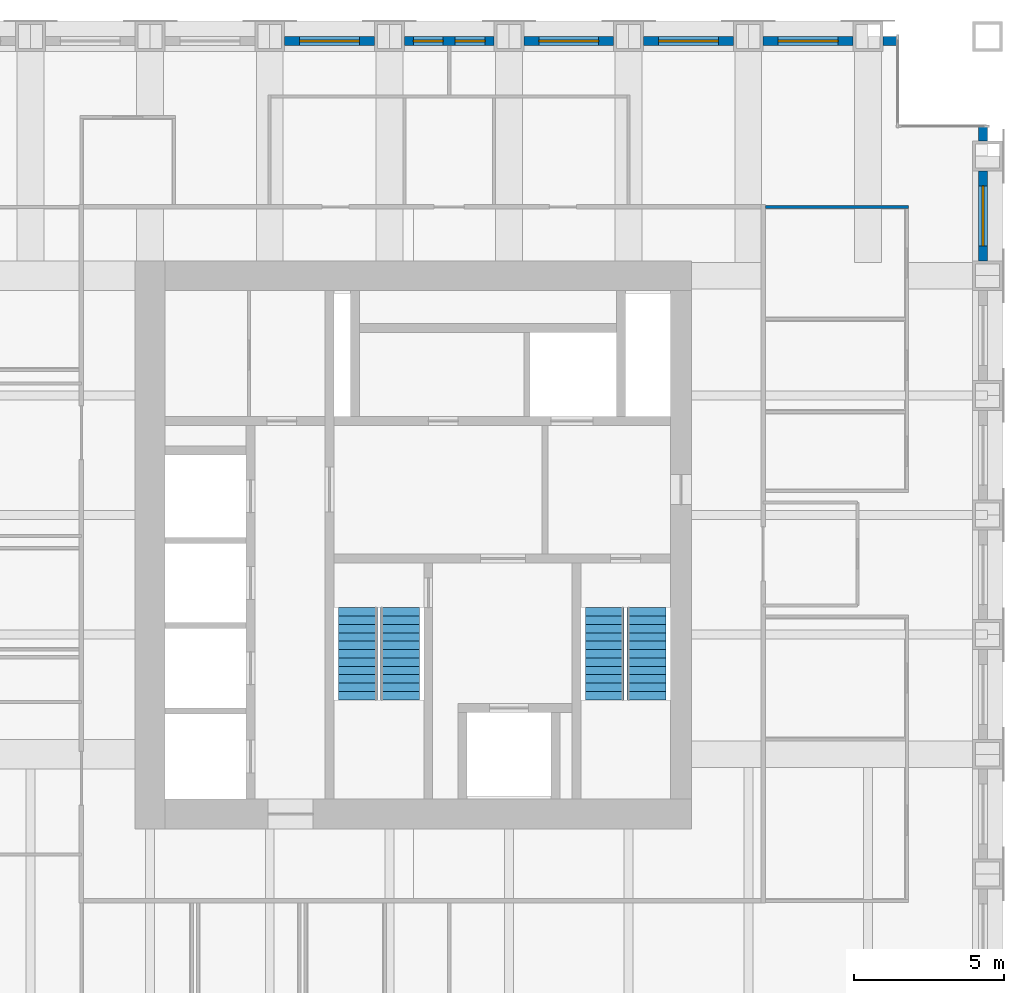
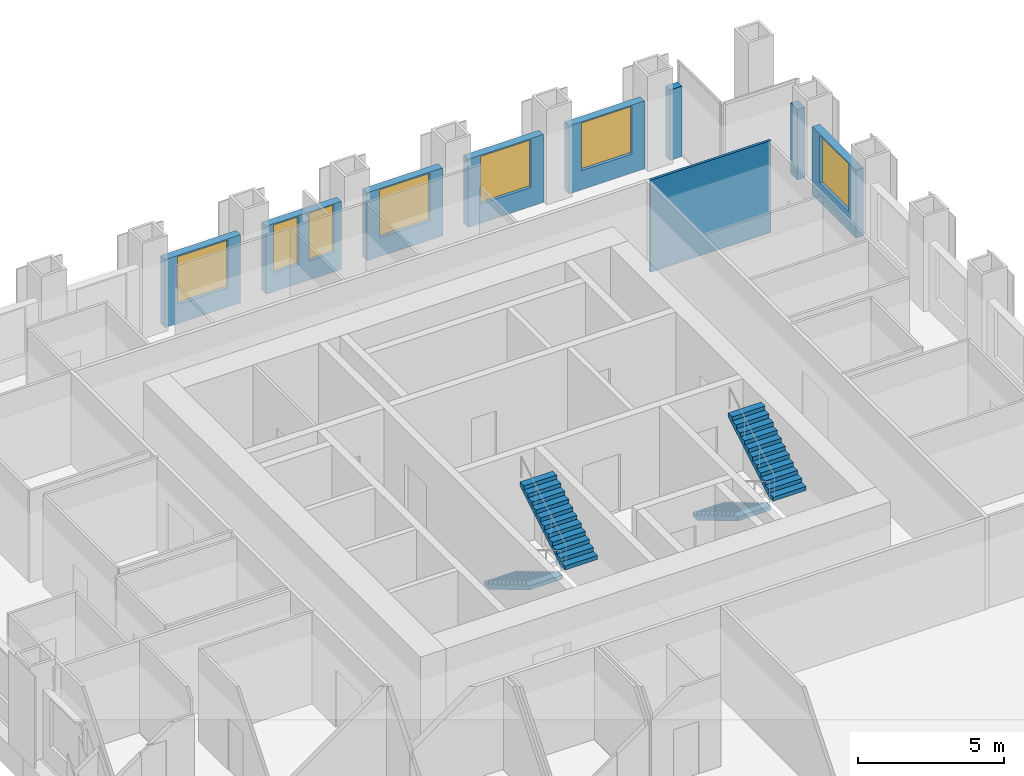
# One storey, part 11 of 13: 9 walls, 7 windows, 4 stair flights, 7 openings, 2 elements without a shape of their own.
"""IFC4 building model written with IfcOpenShell, lengths in metres."""

from ifc_helpers import new_model, si_unit, direction, frame, frame_2d, origin, place, context, subcontext, project, spatial, polyline, rectangle, outline, extrude, material, layer, layer_set, type_object, element, fill, aggregate, save


model = new_model("IFC4")

# Units and contexts
model_context = context("Model", 3, precision=1e-05, world=origin(), true_north=direction((0.0, 1.0)))
body_context = subcontext(model_context, "Body", "Model", "MODEL_VIEW")
ifc_project = project(units=[si_unit("LENGTHUNIT", "METRE"), si_unit("AREAUNIT", "SQUARE_METRE"), si_unit("VOLUMEUNIT", "CUBIC_METRE"), si_unit("PLANEANGLEUNIT", "RADIAN"), si_unit("MASSUNIT", "GRAM", prefix="KILO")], contexts=[model_context])

# Site, building, storey
site_placement = place(None, origin())
site = spatial("IfcSite", under=ifc_project, at=site_placement, CompositionType="ELEMENT")
building_placement = place(site_placement, origin())
building = spatial("IfcBuilding", under=site, at=building_placement, Name="Rimbunsela Tower", CompositionType="ELEMENT")
storey_placement = place(building_placement, frame((0.0, 0.0, 294.199951171875)))
storey = spatial("IfcBuildingStorey", under=building, at=storey_placement, Name="L71", CompositionType="ELEMENT", Elevation=294.199951171875)

# Wall
ifc_material_1 = material(Name="Gypsum board on steel studs", Category="steel")
ifc_layer_1 = layer(ifc_material_1, 0.10009765625)
ifc_layer_set_1 = layer_set([ifc_layer_1], Name="Office partition 100")
wall_type_1 = type_object("IfcWallType", Name="Office partition 100", PredefinedType="PARTITIONING", material=ifc_layer_set_1)
wall_1_placement = place(storey_placement, frame((38.574951171875, 38.300048828125, 0.0), z_axis=(0.0, 0.0, 1.0), x_axis=(1.0, 0.0, 0.0)))
element("IfcWall", 1, at=wall_1_placement, inside=storey, type_object=wall_type_1, Name="Office partition", PredefinedType="PARTITIONING", context=body_context, shape_type="SweptSolid", body=[
    extrude(rectangle(XDim=4.775146484375, YDim=0.10009765625, at=frame_2d((2.3876953125, 0.0))), origin(), (0.0, 0.0, 1.0), 3.85009765625),
])

# Wall, opening, window
ifc_material_2 = material(Name="Precast concrete fc' 35 MPa", Category="concrete")
ifc_layer_2 = layer(ifc_material_2, 0.300048828125)
ifc_layer_set_2 = layer_set([ifc_layer_2], Name="Precast concrete fc' 35 MPa")
wall_type_2 = type_object("IfcWallType", Name="Precast facade panel 300", PredefinedType="ELEMENTEDWALL", material=ifc_layer_set_2)
wall_2_placement = place(storey_placement, frame((45.85009765625, 36.5, 0.0), z_axis=(0.0, 0.0, 1.0), x_axis=(0.0, 1.0, 0.0)))
wall_2 = element("IfcWall", 2, at=wall_2_placement, inside=storey, type_object=wall_type_2, Name="Facade panel E L71", PredefinedType="ELEMENTEDWALL", context=body_context, shape_type="SweptSolid", body=[
    extrude(rectangle(XDim=3.0, YDim=0.300048828125, at=frame_2d((1.5, 0.0))), origin(), (0.0, 0.0, 1.0), 2.85009765625),
])
opening_1_placement = place(wall_2_placement, frame((0.5, 0.0, 0.800048828125)))
opening_1 = element("IfcOpeningElement", 3, at=opening_1_placement, cuts=wall_2, Name="Opening W1", PredefinedType="OPENING", context=body_context, shape_type="SweptSolid", body=[
    extrude(rectangle(XDim=2.0, YDim=2.0, at=frame_2d((1.0, 1.0))), frame((0.0, 0.159912109375, 0.0), z_axis=(0.0, -1.0, 0.0), x_axis=(1.0, 0.0, 0.0)), (0.0, 0.0, 1.0), 0.320068359375),
])
ifc_material_3 = material(Name="Clear glass in aluminium frame", Category="aluminium")
window_type_1 = type_object("IfcWindowType", Name="Window W1 2000x2000", PartitioningType="DOUBLE_PANEL_VERTICAL", PredefinedType="WINDOW", material=ifc_material_3)
window_1_placement = place(opening_1_placement, origin())
window_1 = element("IfcWindow", 4, at=window_1_placement, inside=storey, type_object=window_type_1, Name="Window L71", OverallHeight=2.0, OverallWidth=2.0, PartitioningType="SINGLE_PANEL", PredefinedType="WINDOW", context=body_context, shape_type="SweptSolid", body=[
    extrude(rectangle(XDim=2.0, YDim=2.0, at=frame_2d((1.0, 1.0))), frame((0.0, 0.030029296875, 0.0), z_axis=(0.0, -1.0, 0.0), x_axis=(1.0, 0.0, 0.0)), (0.0, 0.0, 1.0), 0.06005859375),
])
fill(opening_1, window_1)

# Wall
wall_3_placement = place(storey_placement, frame((45.85009765625, 40.5, 0.0), z_axis=(0.0, 0.0, 1.0), x_axis=(0.0, 1.0, 0.0)))
element("IfcWall", 5, at=wall_3_placement, inside=storey, type_object=wall_type_2, Name="Facade panel E L71", PredefinedType="ELEMENTEDWALL", context=body_context, shape_type="SweptSolid", body=[
    extrude(rectangle(XDim=0.469970703125, YDim=0.300048828125, at=frame_2d((0.23486328125, 0.0))), origin(), (0.0, 0.0, 1.0), 2.949951171875),
])

# Wall, opening, window
wall_4_placement = place(storey_placement, frame((25.5, 43.85009765625, 0.0), z_axis=(0.0, 0.0, 1.0), x_axis=(-1.0, 0.0, 0.0)))
wall_4 = element("IfcWall", 6, at=wall_4_placement, inside=storey, type_object=wall_type_2, Name="Facade panel N L71", PredefinedType="ELEMENTEDWALL", context=body_context, shape_type="SweptSolid", body=[
    extrude(rectangle(XDim=3.0, YDim=0.300048828125, at=frame_2d((1.5, 0.0))), origin(), (0.0, 0.0, 1.0), 2.85009765625),
])
opening_2_placement = place(wall_4_placement, frame((0.5, 0.0, 0.800048828125)))
opening_2 = element("IfcOpeningElement", 7, at=opening_2_placement, cuts=wall_4, Name="Opening W1", PredefinedType="OPENING", context=body_context, shape_type="SweptSolid", body=[
    extrude(rectangle(XDim=2.0, YDim=2.0, at=frame_2d((1.0, 1.0))), frame((0.0, 0.159912109375, 0.0), z_axis=(0.0, -1.0, 0.0), x_axis=(1.0, 0.0, 0.0)), (0.0, 0.0, 1.0), 0.320068359375),
])
window_2_placement = place(opening_2_placement, origin())
window_2 = element("IfcWindow", 8, at=window_2_placement, inside=storey, type_object=window_type_1, Name="Window L71", OverallHeight=2.0, OverallWidth=2.0, PartitioningType="SINGLE_PANEL", PredefinedType="WINDOW", context=body_context, shape_type="SweptSolid", body=[
    extrude(rectangle(XDim=2.0, YDim=2.0, at=frame_2d((1.0, 1.0))), frame((0.0, 0.030029296875, 0.0), z_axis=(0.0, -1.0, 0.0), x_axis=(1.0, 0.0, 0.0)), (0.0, 0.0, 1.0), 0.06005859375),
])
fill(opening_2, window_2)

# Wall, openings, windows
wall_5_placement = place(storey_placement, frame((29.5, 43.85009765625, 0.0), z_axis=(0.0, 0.0, 1.0), x_axis=(-1.0, 0.0, 0.0)))
wall_5 = element("IfcWall", 9, at=wall_5_placement, inside=storey, type_object=wall_type_2, Name="Facade panel N L71", PredefinedType="ELEMENTEDWALL", context=body_context, shape_type="SweptSolid", body=[
    extrude(rectangle(XDim=3.0, YDim=0.300048828125, at=frame_2d((1.5, 0.0))), origin(), (0.0, 0.0, 1.0), 2.85009765625),
])
opening_3_placement = place(wall_5_placement, frame((1.699951171875, 0.0, 0.800048828125)))
opening_3 = element("IfcOpeningElement", 10, at=opening_3_placement, cuts=wall_5, Name="Opening W5", PredefinedType="OPENING", context=body_context, shape_type="SweptSolid", body=[
    extrude(rectangle(XDim=1.0, YDim=2.0, at=frame_2d((0.5, 1.0))), frame((0.0, 0.159912109375, 0.0), z_axis=(0.0, -1.0, 0.0), x_axis=(1.0, 0.0, 0.0)), (0.0, 0.0, 1.0), 0.320068359375),
])
opening_4_placement = place(wall_5_placement, frame((0.300048828125, 0.0, 0.800048828125)))
opening_4 = element("IfcOpeningElement", 11, at=opening_4_placement, cuts=wall_5, Name="Opening W5", PredefinedType="OPENING", context=body_context, shape_type="SweptSolid", body=[
    extrude(rectangle(XDim=1.0, YDim=2.0, at=frame_2d((0.5, 1.0))), frame((0.0, 0.159912109375, 0.0), z_axis=(0.0, -1.0, 0.0), x_axis=(1.0, 0.0, 0.0)), (0.0, 0.0, 1.0), 0.320068359375),
])
ifc_material_4 = material(Name="Clear glass in aluminium frame", Category="aluminium")
window_type_2 = type_object("IfcWindowType", Name="Window W5 1000x2000", PartitioningType="SINGLE_PANEL", PredefinedType="WINDOW", material=ifc_material_4)
window_3_placement = place(opening_3_placement, origin())
window_3 = element("IfcWindow", 12, at=window_3_placement, inside=storey, type_object=window_type_2, Name="Window L71", OverallHeight=2.0, OverallWidth=1.0, PartitioningType="SINGLE_PANEL", PredefinedType="WINDOW", context=body_context, shape_type="SweptSolid", body=[
    extrude(rectangle(XDim=1.0, YDim=2.0, at=frame_2d((0.5, 1.0))), frame((0.0, 0.030029296875, 0.0), z_axis=(0.0, -1.0, 0.0), x_axis=(1.0, 0.0, 0.0)), (0.0, 0.0, 1.0), 0.06005859375),
])
fill(opening_3, window_3)
window_4_placement = place(opening_4_placement, origin())
window_4 = element("IfcWindow", 13, at=window_4_placement, inside=storey, type_object=window_type_2, Name="Window L71", OverallHeight=2.0, OverallWidth=1.0, PartitioningType="SINGLE_PANEL", PredefinedType="WINDOW", context=body_context, shape_type="SweptSolid", body=[
    extrude(rectangle(XDim=1.0, YDim=2.0, at=frame_2d((0.5, 1.0))), frame((0.0, 0.030029296875, 0.0), z_axis=(0.0, -1.0, 0.0), x_axis=(1.0, 0.0, 0.0)), (0.0, 0.0, 1.0), 0.06005859375),
])
fill(opening_4, window_4)

# Wall, opening, window
wall_6_placement = place(storey_placement, frame((33.5, 43.85009765625, 0.0), z_axis=(0.0, 0.0, 1.0), x_axis=(-1.0, 0.0, 0.0)))
wall_6 = element("IfcWall", 14, at=wall_6_placement, inside=storey, type_object=wall_type_2, Name="Facade panel N L71", PredefinedType="ELEMENTEDWALL", context=body_context, shape_type="SweptSolid", body=[
    extrude(rectangle(XDim=3.0, YDim=0.300048828125, at=frame_2d((1.5, 0.0))), origin(), (0.0, 0.0, 1.0), 2.85009765625),
])
opening_5_placement = place(wall_6_placement, frame((0.5, 0.0, 0.800048828125)))
opening_5 = element("IfcOpeningElement", 15, at=opening_5_placement, cuts=wall_6, Name="Opening W1", PredefinedType="OPENING", context=body_context, shape_type="SweptSolid", body=[
    extrude(rectangle(XDim=2.0, YDim=2.0, at=frame_2d((1.0, 1.0))), frame((0.0, 0.159912109375, 0.0), z_axis=(0.0, -1.0, 0.0), x_axis=(1.0, 0.0, 0.0)), (0.0, 0.0, 1.0), 0.320068359375),
])
window_5_placement = place(opening_5_placement, origin())
window_5 = element("IfcWindow", 16, at=window_5_placement, inside=storey, type_object=window_type_1, Name="Window L71", OverallHeight=2.0, OverallWidth=2.0, PartitioningType="SINGLE_PANEL", PredefinedType="WINDOW", context=body_context, shape_type="SweptSolid", body=[
    extrude(rectangle(XDim=2.0, YDim=2.0, at=frame_2d((1.0, 1.0))), frame((0.0, 0.030029296875, 0.0), z_axis=(0.0, -1.0, 0.0), x_axis=(1.0, 0.0, 0.0)), (0.0, 0.0, 1.0), 0.06005859375),
])
fill(opening_5, window_5)

wall_7_placement = place(storey_placement, frame((37.5, 43.85009765625, 0.0), z_axis=(0.0, 0.0, 1.0), x_axis=(-1.0, 0.0, 0.0)))
wall_7 = element("IfcWall", 17, at=wall_7_placement, inside=storey, type_object=wall_type_2, Name="Facade panel N L71", PredefinedType="ELEMENTEDWALL", context=body_context, shape_type="SweptSolid", body=[
    extrude(rectangle(XDim=3.0, YDim=0.300048828125, at=frame_2d((1.5, 0.0))), origin(), (0.0, 0.0, 1.0), 2.85009765625),
])
opening_6_placement = place(wall_7_placement, frame((0.5, 0.0, 0.800048828125)))
opening_6 = element("IfcOpeningElement", 18, at=opening_6_placement, cuts=wall_7, Name="Opening W1", PredefinedType="OPENING", context=body_context, shape_type="SweptSolid", body=[
    extrude(rectangle(XDim=2.0, YDim=2.0, at=frame_2d((1.0, 1.0))), frame((0.0, 0.159912109375, 0.0), z_axis=(0.0, -1.0, 0.0), x_axis=(1.0, 0.0, 0.0)), (0.0, 0.0, 1.0), 0.320068359375),
])
window_6_placement = place(opening_6_placement, origin())
window_6 = element("IfcWindow", 19, at=window_6_placement, inside=storey, type_object=window_type_1, Name="Window L71", OverallHeight=2.0, OverallWidth=2.0, PartitioningType="SINGLE_PANEL", PredefinedType="WINDOW", context=body_context, shape_type="SweptSolid", body=[
    extrude(rectangle(XDim=2.0, YDim=2.0, at=frame_2d((1.0, 1.0))), frame((0.0, 0.030029296875, 0.0), z_axis=(0.0, -1.0, 0.0), x_axis=(1.0, 0.0, 0.0)), (0.0, 0.0, 1.0), 0.06005859375),
])
fill(opening_6, window_6)

wall_8_placement = place(storey_placement, frame((41.5, 43.85009765625, 0.0), z_axis=(0.0, 0.0, 1.0), x_axis=(-1.0, 0.0, 0.0)))
wall_8 = element("IfcWall", 20, at=wall_8_placement, inside=storey, type_object=wall_type_2, Name="Facade panel N L71", PredefinedType="ELEMENTEDWALL", context=body_context, shape_type="SweptSolid", body=[
    extrude(rectangle(XDim=3.0, YDim=0.300048828125, at=frame_2d((1.5, 0.0))), origin(), (0.0, 0.0, 1.0), 2.85009765625),
])
opening_7_placement = place(wall_8_placement, frame((0.5, 0.0, 0.800048828125)))
opening_7 = element("IfcOpeningElement", 21, at=opening_7_placement, cuts=wall_8, Name="Opening W1", PredefinedType="OPENING", context=body_context, shape_type="SweptSolid", body=[
    extrude(rectangle(XDim=2.0, YDim=2.0, at=frame_2d((1.0, 1.0))), frame((0.0, 0.159912109375, 0.0), z_axis=(0.0, -1.0, 0.0), x_axis=(1.0, 0.0, 0.0)), (0.0, 0.0, 1.0), 0.320068359375),
])
window_7_placement = place(opening_7_placement, origin())
window_7 = element("IfcWindow", 22, at=window_7_placement, inside=storey, type_object=window_type_1, Name="Window L71", OverallHeight=2.0, OverallWidth=2.0, PartitioningType="SINGLE_PANEL", PredefinedType="WINDOW", context=body_context, shape_type="SweptSolid", body=[
    extrude(rectangle(XDim=2.0, YDim=2.0, at=frame_2d((1.0, 1.0))), frame((0.0, 0.030029296875, 0.0), z_axis=(0.0, -1.0, 0.0), x_axis=(1.0, 0.0, 0.0)), (0.0, 0.0, 1.0), 0.06005859375),
])
fill(opening_7, window_7)

# Wall
wall_9_placement = place(storey_placement, frame((42.969970703125, 43.85009765625, 0.0), z_axis=(0.0, 0.0, 1.0), x_axis=(-1.0, 0.0, 0.0)))
element("IfcWall", 23, at=wall_9_placement, inside=storey, type_object=wall_type_2, Name="Facade panel N L71", PredefinedType="ELEMENTEDWALL", context=body_context, shape_type="SweptSolid", body=[
    extrude(rectangle(XDim=0.469970703125, YDim=0.300048828125, at=frame_2d((0.23486328125, 0.0))), origin(), (0.0, 0.0, 1.0), 2.949951171875),
])

# Stair, stair flights
ifc_material_5 = material(Name="Concrete fc' 35 MPa", Category="concrete")
stair_type = type_object("IfcStairType", Name="Exit stair 24 risers", PredefinedType="HALF_TURN_STAIR", material=ifc_material_5)
stair_1_placement = place(storey_placement, origin())
stair_1 = element("IfcStair", 24, at=stair_1_placement, inside=storey, type_object=stair_type, Name="Exit stair A L71", PredefinedType="HALF_TURN_STAIR")
ifc_material_6 = material(Name="Concrete fc' 35 MPa", Category="concrete")
stair_flight_type = type_object("IfcStairFlightType", Name="Stair flight 12 risers 167", PredefinedType="STRAIGHT", material=ifc_material_6)
stair_flight_1_placement = place(storey_placement, frame((24.949951171875, 24.89990234375, 0.0), z_axis=(0.0, 0.0, 1.0), x_axis=(0.0, -1.0, 0.0)))
stair_flight_1 = element("IfcStairFlight", 25, at=stair_flight_1_placement, type_object=stair_flight_type, Name="ST-A flight 1", NumberOfRisers=12, NumberOfTreads=11, PredefinedType="STRAIGHT", RiserHeight=0.166666667, TreadLength=0.28, context=body_context, shape_type="SweptSolid", body=[
    extrude(outline(polyline([(0.0, 0.0), (0.0, 0.166748046875), (0.280029296875, 0.166748046875), (0.280029296875, 0.333251953125), (0.56005859375, 0.333251953125), (0.56005859375, 0.5), (0.840087890625, 0.5), (0.840087890625, 0.666748046875), (1.1201171875, 0.666748046875), (1.1201171875, 0.833251953125), (1.39990234375, 0.833251953125), (1.39990234375, 1.0), (1.679931640625, 1.0), (1.679931640625, 1.166748046875), (1.9599609375, 1.166748046875), (1.9599609375, 1.333251953125), (2.239990234375, 1.333251953125), (2.239990234375, 1.5), (2.52001953125, 1.5), (2.52001953125, 1.666748046875), (2.800048828125, 1.666748046875), (2.800048828125, 1.833251953125), (3.080078125, 1.833251953125), (3.080078125, 2.0), (3.080078125, 1.658935546875), (0.29296875, 0.0), (0.0, 0.0)])), frame((0.0, 0.64990234375, 0.0), z_axis=(0.0, -1.0, 0.0), x_axis=(1.0, 0.0, 0.0)), (0.0, 0.0, 1.0), 1.300048828125),
])
stair_flight_2_placement = place(storey_placement, frame((26.35009765625, 21.820068359375, 2.0), z_axis=(0.0, 0.0, 1.0), x_axis=(0.0, 1.0, 0.0)))
stair_flight_2 = element("IfcStairFlight", 26, at=stair_flight_2_placement, type_object=stair_flight_type, Name="ST-A flight 2", NumberOfRisers=12, NumberOfTreads=11, PredefinedType="STRAIGHT", RiserHeight=0.166666667, TreadLength=0.28, context=body_context, shape_type="SweptSolid", body=[
    extrude(outline(polyline([(0.0, 0.0), (0.0, 0.166748046875), (0.280029296875, 0.166748046875), (0.280029296875, 0.333251953125), (0.56005859375, 0.333251953125), (0.56005859375, 0.5), (0.840087890625, 0.5), (0.840087890625, 0.666748046875), (1.1201171875, 0.666748046875), (1.1201171875, 0.833251953125), (1.39990234375, 0.833251953125), (1.39990234375, 1.0), (1.679931640625, 1.0), (1.679931640625, 1.166748046875), (1.9599609375, 1.166748046875), (1.9599609375, 1.333251953125), (2.239990234375, 1.333251953125), (2.239990234375, 1.5), (2.52001953125, 1.5), (2.52001953125, 1.666748046875), (2.800048828125, 1.666748046875), (2.800048828125, 1.833251953125), (3.080078125, 1.833251953125), (3.080078125, 2.0), (3.080078125, 1.658935546875), (0.29296875, 0.0), (0.0, 0.0)])), frame((0.0, 0.64990234375, 0.0), z_axis=(0.0, -1.0, 0.0), x_axis=(1.0, 0.0, 0.0)), (0.0, 0.0, 1.0), 1.300048828125),
])
aggregate(stair_1, [stair_flight_1, stair_flight_2])

stair_2_placement = place(storey_placement, origin())
stair_2 = element("IfcStair", 27, at=stair_2_placement, inside=storey, type_object=stair_type, Name="Exit stair B L71", PredefinedType="HALF_TURN_STAIR")
stair_flight_3_placement = place(storey_placement, frame((33.199951171875, 24.89990234375, 0.0), z_axis=(0.0, 0.0, 1.0), x_axis=(0.0, -1.0, 0.0)))
stair_flight_3 = element("IfcStairFlight", 28, at=stair_flight_3_placement, type_object=stair_flight_type, Name="ST-B flight 1", NumberOfRisers=12, NumberOfTreads=11, PredefinedType="STRAIGHT", RiserHeight=0.166666667, TreadLength=0.28, context=body_context, shape_type="SweptSolid", body=[
    extrude(outline(polyline([(0.0, 0.0), (0.0, 0.166748046875), (0.280029296875, 0.166748046875), (0.280029296875, 0.333251953125), (0.56005859375, 0.333251953125), (0.56005859375, 0.5), (0.840087890625, 0.5), (0.840087890625, 0.666748046875), (1.1201171875, 0.666748046875), (1.1201171875, 0.833251953125), (1.39990234375, 0.833251953125), (1.39990234375, 1.0), (1.679931640625, 1.0), (1.679931640625, 1.166748046875), (1.9599609375, 1.166748046875), (1.9599609375, 1.333251953125), (2.239990234375, 1.333251953125), (2.239990234375, 1.5), (2.52001953125, 1.5), (2.52001953125, 1.666748046875), (2.800048828125, 1.666748046875), (2.800048828125, 1.833251953125), (3.080078125, 1.833251953125), (3.080078125, 2.0), (3.080078125, 1.658935546875), (0.29296875, 0.0), (0.0, 0.0)])), frame((0.0, 0.64990234375, 0.0), z_axis=(0.0, -1.0, 0.0), x_axis=(1.0, 0.0, 0.0)), (0.0, 0.0, 1.0), 1.300048828125),
])
stair_flight_4_placement = place(storey_placement, frame((34.60009765625, 21.820068359375, 2.0), z_axis=(0.0, 0.0, 1.0), x_axis=(0.0, 1.0, 0.0)))
stair_flight_4 = element("IfcStairFlight", 29, at=stair_flight_4_placement, type_object=stair_flight_type, Name="ST-B flight 2", NumberOfRisers=12, NumberOfTreads=11, PredefinedType="STRAIGHT", RiserHeight=0.166666667, TreadLength=0.28, context=body_context, shape_type="SweptSolid", body=[
    extrude(outline(polyline([(0.0, 0.0), (0.0, 0.166748046875), (0.280029296875, 0.166748046875), (0.280029296875, 0.333251953125), (0.56005859375, 0.333251953125), (0.56005859375, 0.5), (0.840087890625, 0.5), (0.840087890625, 0.666748046875), (1.1201171875, 0.666748046875), (1.1201171875, 0.833251953125), (1.39990234375, 0.833251953125), (1.39990234375, 1.0), (1.679931640625, 1.0), (1.679931640625, 1.166748046875), (1.9599609375, 1.166748046875), (1.9599609375, 1.333251953125), (2.239990234375, 1.333251953125), (2.239990234375, 1.5), (2.52001953125, 1.5), (2.52001953125, 1.666748046875), (2.800048828125, 1.666748046875), (2.800048828125, 1.833251953125), (3.080078125, 1.833251953125), (3.080078125, 2.0), (3.080078125, 1.658935546875), (0.29296875, 0.0), (0.0, 0.0)])), frame((0.0, 0.64990234375, 0.0), z_axis=(0.0, -1.0, 0.0), x_axis=(1.0, 0.0, 0.0)), (0.0, 0.0, 1.0), 1.300048828125),
])
aggregate(stair_2, [stair_flight_3, stair_flight_4])

save(model, "model.ifc")
